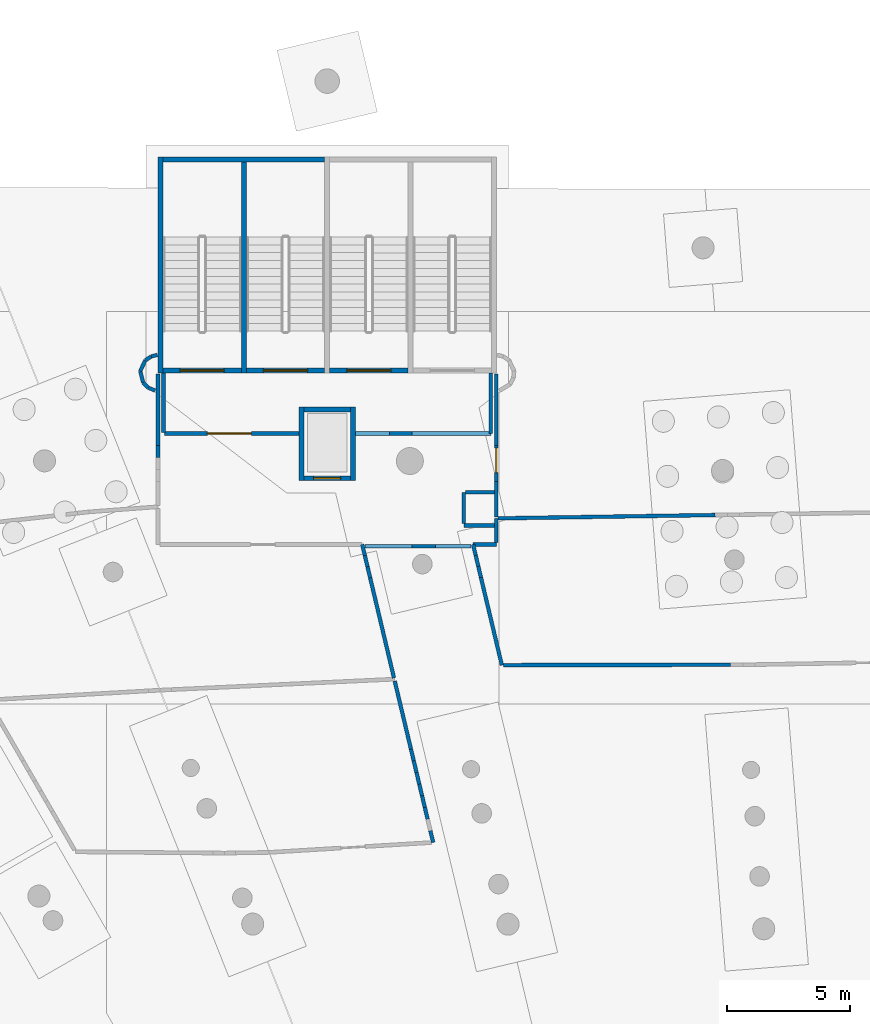
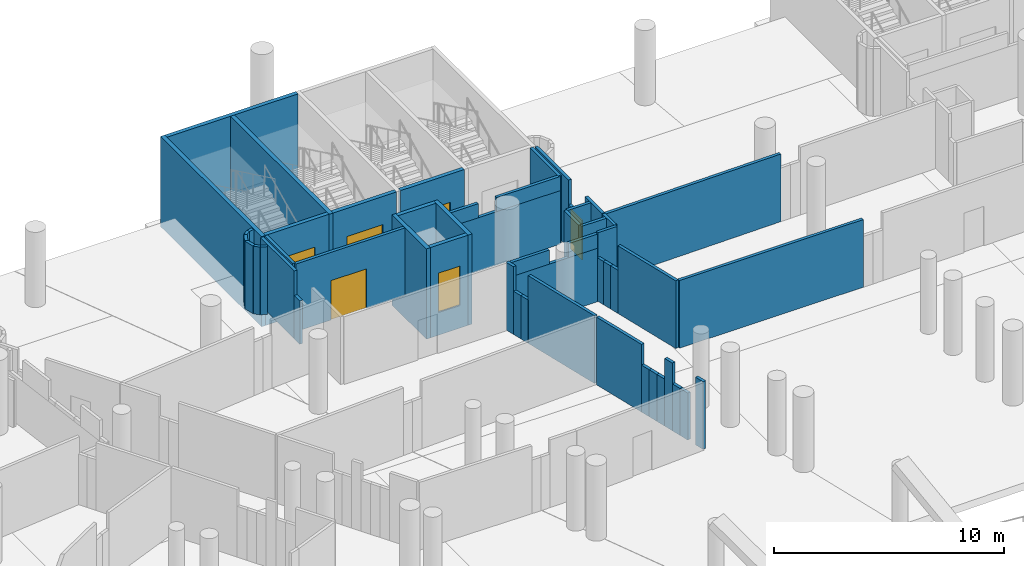
# One storey, part 79 of 142: 53 walls, 6 doors, 6 openings.
"""IFC4 building model written with IfcOpenShell, lengths in metres."""

from ifc_helpers import new_model, si_unit, direction, frame, frame_2d, origin, place, context, subcontext, project, spatial, rectangle, extrude, material, layer, layer_set, type_object, element, fill, save


model = new_model("IFC4")

# Units and contexts
model_context = context("Model", 3, precision=1e-05, world=origin(), true_north=direction((0.0, 1.0)))
body_context = subcontext(model_context, "Body", "Model", "MODEL_VIEW")
ifc_project = project(units=[si_unit("LENGTHUNIT", "METRE"), si_unit("AREAUNIT", "SQUARE_METRE"), si_unit("VOLUMEUNIT", "CUBIC_METRE"), si_unit("PLANEANGLEUNIT", "RADIAN"), si_unit("MASSUNIT", "GRAM", prefix="KILO")], contexts=[model_context])

# Site, building, storey
site_placement = place(None, origin())
site = spatial("IfcSite", under=ifc_project, at=site_placement, CompositionType="ELEMENT")
building_placement = place(site_placement, origin())
building = spatial("IfcBuilding", under=site, at=building_placement, Name="Meseta Stadium", CompositionType="ELEMENT")
storey_placement = place(building_placement, frame((0.0, 0.0, -4.0)))
storey = spatial("IfcBuildingStorey", under=building, at=storey_placement, Name="B1", CompositionType="ELEMENT", Elevation=-4.0)

# Walls
ifc_material_1 = material(Name="Concrete C40/50", Category="concrete")
ifc_layer_1 = layer(ifc_material_1, 0.199951171875)
ifc_layer_set_1 = layer_set([ifc_layer_1], Name="Core divider wall 200")
wall_type_1 = type_object("IfcWallType", Name="Core divider wall 200", PredefinedType="SHEAR", material=ifc_layer_set_1)
wall_1_placement = place(storey_placement, frame((-26.39990234375, 102.300048828125, -1.199951171875), z_axis=(0.0, 0.0, 1.0), x_axis=(0.0, -1.0, 0.0)))
element("IfcWall", 1, at=wall_1_placement, inside=storey, type_object=wall_type_1, Name="Core 11 B1 stair B divider wall", PredefinedType="SHEAR", context=body_context, shape_type="SweptSolid", body=[
    extrude(rectangle(XDim=8.800048828125, YDim=0.199951171875, at=frame_2d((4.39990234375, 0.0))), origin(), (0.0, 0.0, 1.0), 4.800048828125),
])
ifc_material_2 = material(Name="Concrete C40/50", Category="concrete")
ifc_layer_2 = layer(ifc_material_2, 0.199951171875)
ifc_layer_set_2 = layer_set([ifc_layer_2], Name="Core shaft wall 200")
wall_type_2 = type_object("IfcWallType", Name="Core shaft wall 200", PredefinedType="SHEAR", material=ifc_layer_set_2)
wall_2_placement = place(storey_placement, frame((-29.800048828125, 102.300048828125, -1.199951171875), z_axis=(0.0, 0.0, 1.0), x_axis=(0.0, -1.0, 0.0)))
element("IfcWall", 2, at=wall_2_placement, inside=storey, type_object=wall_type_2, Name="Core 11 B1 stair wall B-side", PredefinedType="SHEAR", context=body_context, shape_type="SweptSolid", body=[
    extrude(rectangle(XDim=8.800048828125, YDim=0.199951171875, at=frame_2d((4.39990234375, 0.0))), origin(), (0.0, 0.0, 1.0), 4.800048828125),
])
wall_3_placement = place(storey_placement, frame((-23.10009765625, 102.199951171875, -1.199951171875), z_axis=(0.0, 0.0, 1.0), x_axis=(-1.0, 0.0, 0.0)))
element("IfcWall", 3, at=wall_3_placement, inside=storey, type_object=wall_type_2, Name="Core 11 B1 stair B outer end wall", PredefinedType="SHEAR", context=body_context, shape_type="SweptSolid", body=[
    extrude(rectangle(XDim=6.599853515625, YDim=0.199951171875, at=frame_2d((3.2998046875, 0.0))), origin(), (0.0, 0.0, 1.0), 4.800048828125),
])

# Wall, opening, door
wall_4_placement = place(storey_placement, frame((-19.699951171875, 93.60009765625, -1.199951171875), z_axis=(0.0, 0.0, 1.0), x_axis=(-1.0, 0.0, 0.0)))
wall_4 = element("IfcWall", 4, at=wall_4_placement, inside=storey, type_object=wall_type_2, Name="Core 11 B1 stair A2 inner end wall", PredefinedType="SHEAR", context=body_context, shape_type="SweptSolid", body=[
    extrude(rectangle(XDim=3.199951171875, YDim=0.199951171875, at=frame_2d((1.60009765625, 0.0))), origin(), (0.0, 0.0, 1.0), 4.800048828125),
])
opening_1_placement = place(wall_4_placement, frame((0.699951171875, 0.0, 1.199951171875)))
opening_1 = element("IfcOpeningElement", 5, at=opening_1_placement, cuts=wall_4, Name="Opening D152", PredefinedType="OPENING", context=body_context, shape_type="SweptSolid", body=[
    extrude(rectangle(XDim=1.800048828125, YDim=2.10009765625, at=frame_2d((0.89990234375, 1.050048828125))), frame((0.0, 0.10986328125, 0.0), z_axis=(0.0, -1.0, 0.0), x_axis=(1.0, 0.0, 0.0)), (0.0, 0.0, 1.0), 0.219970703125),
])
ifc_material_3 = material(Name="Steel", Category="steel")
door_type_1 = type_object("IfcDoorType", Name="Stair door 1800x2100", OperationType="DOUBLE_DOOR_SINGLE_SWING", PredefinedType="DOOR", material=ifc_material_3)
door_1_placement = place(opening_1_placement, origin())
door_1 = element("IfcDoor", 6, at=door_1_placement, inside=storey, type_object=door_type_1, Name="Stair A2 door 11 B1", OperationType="DOUBLE_DOOR_SINGLE_SWING", OverallHeight=2.10009765625, OverallWidth=1.800048828125, PredefinedType="DOOR", context=body_context, shape_type="SweptSolid", body=[
    extrude(rectangle(XDim=1.800048828125, YDim=2.10009765625, at=frame_2d((0.89990234375, 1.050048828125))), frame((0.0, 0.02490234375, 0.0), z_axis=(0.0, -1.0, 0.0), x_axis=(1.0, 0.0, 0.0)), (0.0, 0.0, 1.0), 0.050048828125),
])
fill(opening_1, door_1)

wall_5_placement = place(storey_placement, frame((-23.10009765625, 93.60009765625, -1.199951171875), z_axis=(0.0, 0.0, 1.0), x_axis=(-1.0, 0.0, 0.0)))
wall_5 = element("IfcWall", 7, at=wall_5_placement, inside=storey, type_object=wall_type_2, Name="Core 11 B1 stair B1 inner end wall", PredefinedType="SHEAR", context=body_context, shape_type="SweptSolid", body=[
    extrude(rectangle(XDim=3.199951171875, YDim=0.199951171875, at=frame_2d((1.60009765625, 0.0))), origin(), (0.0, 0.0, 1.0), 4.800048828125),
])
opening_2_placement = place(wall_5_placement, frame((0.699951171875, 0.0, 1.199951171875)))
opening_2 = element("IfcOpeningElement", 8, at=opening_2_placement, cuts=wall_5, Name="Opening D153", PredefinedType="OPENING", context=body_context, shape_type="SweptSolid", body=[
    extrude(rectangle(XDim=1.800048828125, YDim=2.10009765625, at=frame_2d((0.89990234375, 1.050048828125))), frame((0.0, 0.10986328125, 0.0), z_axis=(0.0, -1.0, 0.0), x_axis=(1.0, 0.0, 0.0)), (0.0, 0.0, 1.0), 0.219970703125),
])
door_2_placement = place(opening_2_placement, origin())
door_2 = element("IfcDoor", 9, at=door_2_placement, inside=storey, type_object=door_type_1, Name="Stair B1 door 11 B1", OperationType="DOUBLE_DOOR_SINGLE_SWING", OverallHeight=2.10009765625, OverallWidth=1.800048828125, PredefinedType="DOOR", context=body_context, shape_type="SweptSolid", body=[
    extrude(rectangle(XDim=1.800048828125, YDim=2.10009765625, at=frame_2d((0.89990234375, 1.050048828125))), frame((0.0, 0.02490234375, 0.0), z_axis=(0.0, -1.0, 0.0), x_axis=(1.0, 0.0, 0.0)), (0.0, 0.0, 1.0), 0.050048828125),
])
fill(opening_2, door_2)

wall_6_placement = place(storey_placement, frame((-26.5, 93.60009765625, -1.199951171875), z_axis=(0.0, 0.0, 1.0), x_axis=(-1.0, 0.0, 0.0)))
wall_6 = element("IfcWall", 10, at=wall_6_placement, inside=storey, type_object=wall_type_2, Name="Core 11 B1 stair B2 inner end wall", PredefinedType="SHEAR", context=body_context, shape_type="SweptSolid", body=[
    extrude(rectangle(XDim=3.199951171875, YDim=0.199951171875, at=frame_2d((1.60009765625, 0.0))), origin(), (0.0, 0.0, 1.0), 4.800048828125),
])
opening_3_placement = place(wall_6_placement, frame((0.699951171875, 0.0, 1.199951171875)))
opening_3 = element("IfcOpeningElement", 11, at=opening_3_placement, cuts=wall_6, Name="Opening D154", PredefinedType="OPENING", context=body_context, shape_type="SweptSolid", body=[
    extrude(rectangle(XDim=1.800048828125, YDim=2.10009765625, at=frame_2d((0.89990234375, 1.050048828125))), frame((0.0, 0.10986328125, 0.0), z_axis=(0.0, -1.0, 0.0), x_axis=(1.0, 0.0, 0.0)), (0.0, 0.0, 1.0), 0.219970703125),
])
door_3_placement = place(opening_3_placement, origin())
door_3 = element("IfcDoor", 12, at=door_3_placement, inside=storey, type_object=door_type_1, Name="Stair B2 door 11 B1", OperationType="DOUBLE_DOOR_SINGLE_SWING", OverallHeight=2.10009765625, OverallWidth=1.800048828125, PredefinedType="DOOR", context=body_context, shape_type="SweptSolid", body=[
    extrude(rectangle(XDim=1.800048828125, YDim=2.10009765625, at=frame_2d((0.89990234375, 1.050048828125))), frame((0.0, 0.02490234375, 0.0), z_axis=(0.0, -1.0, 0.0), x_axis=(1.0, 0.0, 0.0)), (0.0, 0.0, 1.0), 0.050048828125),
])
fill(opening_3, door_3)

# Walls
for number, where, z_axis, x_axis, name in (
    (13, (-21.949951171875, 92.10009765625, -1.199951171875), (0.0, 0.0, 1.0), (0.0, -1.0, 0.0), "Core 11 B1 lift shaft wall left"),
    (14, (-24.050048828125, 92.10009765625, -1.199951171875), (0.0, 0.0, 1.0), (0.0, -1.0, 0.0), "Core 11 B1 lift shaft wall right"),
):
    element("IfcWall", number, at=place(storey_placement, frame(where, z_axis=z_axis, x_axis=x_axis)), inside=storey, type_object=wall_type_2, Name=name, PredefinedType="SHEAR", context=body_context, shape_type="SweptSolid", body=[
        extrude(rectangle(XDim=3.0, YDim=0.199951171875, at=frame_2d((1.5, 0.0))), origin(), (0.0, 0.0, 1.0), 4.800048828125),
    ])
wall_7_placement = place(storey_placement, frame((-22.050048828125, 92.0, -1.199951171875), z_axis=(0.0, 0.0, 1.0), x_axis=(-1.0, 0.0, 0.0)))
element("IfcWall", 15, at=wall_7_placement, inside=storey, type_object=wall_type_2, Name="Core 11 B1 lift shaft back wall", PredefinedType="SHEAR", context=body_context, shape_type="SweptSolid", body=[
    extrude(rectangle(XDim=1.89990234375, YDim=0.199951171875, at=frame_2d((0.949951171875, 0.0))), origin(), (0.0, 0.0, 1.0), 4.800048828125),
])

# Wall, opening, door
wall_8_placement = place(storey_placement, frame((-22.050048828125, 89.199951171875, -1.199951171875), z_axis=(0.0, 0.0, 1.0), x_axis=(-1.0, 0.0, 0.0)))
wall_8 = element("IfcWall", 16, at=wall_8_placement, inside=storey, type_object=wall_type_2, Name="Core 11 B1 lift shaft front wall", PredefinedType="SHEAR", context=body_context, shape_type="SweptSolid", body=[
    extrude(rectangle(XDim=1.89990234375, YDim=0.199951171875, at=frame_2d((0.949951171875, 0.0))), origin(), (0.0, 0.0, 1.0), 4.800048828125),
])
opening_4_placement = place(wall_8_placement, frame((0.39990234375, 0.0, 1.199951171875)))
opening_4 = element("IfcOpeningElement", 17, at=opening_4_placement, cuts=wall_8, Name="Opening LD57", PredefinedType="OPENING", context=body_context, shape_type="SweptSolid", body=[
    extrude(rectangle(XDim=1.10009765625, YDim=2.10009765625, at=frame_2d((0.550048828125, 1.050048828125))), frame((0.0, 0.10986328125, 0.0), z_axis=(0.0, -1.0, 0.0), x_axis=(1.0, 0.0, 0.0)), (0.0, 0.0, 1.0), 0.219970703125),
])
ifc_material_4 = material(Name="Steel", Category="steel")
door_type_2 = type_object("IfcDoorType", Name="Lift landing door 1100x2100", OperationType="SLIDING_TO_LEFT", PredefinedType="DOOR", material=ifc_material_4)
door_4_placement = place(opening_4_placement, origin())
door_4 = element("IfcDoor", 18, at=door_4_placement, inside=storey, type_object=door_type_2, Name="Lift landing door LD57", OperationType="SLIDING_TO_LEFT", OverallHeight=2.10009765625, OverallWidth=1.10009765625, PredefinedType="DOOR", context=body_context, shape_type="SweptSolid", body=[
    extrude(rectangle(XDim=1.10009765625, YDim=2.10009765625, at=frame_2d((0.550048828125, 1.050048828125))), frame((0.0, 0.02490234375, 0.0), z_axis=(0.0, -1.0, 0.0), x_axis=(1.0, 0.0, 0.0)), (0.0, 0.0, 1.0), 0.050048828125),
])
fill(opening_4, door_4)

# Walls
ifc_material_5 = material(Name="Masonry blockwork", Category="masonry")
ifc_layer_3 = layer(ifc_material_5, 0.14990234375)
ifc_layer_set_3 = layer_set([ifc_layer_3], Name="Partition 150")
wall_type_3 = type_object("IfcWallType", Name="Partition 150", PredefinedType="PARTITIONING", material=ifc_layer_set_3)
wall_9_placement = place(storey_placement, frame((-15.876220703125, 81.57861328125, 0.0), z_axis=(0.0, 0.0, 1.0), x_axis=(-0.231653421041, 0.972798382256, 0.0)))
element("IfcWall", 19, at=wall_9_placement, inside=storey, type_object=wall_type_3, Name="Partition B1 B1-cell09-1-0", PredefinedType="PARTITIONING", context=body_context, shape_type="SweptSolid", body=[
    extrude(rectangle(XDim=3.67919921875, YDim=0.14990234375, at=frame_2d((1.839599609375, 0.0))), origin(), (0.0, 0.0, 1.0), 3.60009765625),
])
wall_10_placement = place(storey_placement, frame((-16.728515625, 85.15771484375, 0.0), z_axis=(0.0, 0.0, 1.0), x_axis=(-0.231405261986, 0.972857443167, 0.0)))
element("IfcWall", 20, at=wall_10_placement, inside=storey, type_object=wall_type_3, Name="Partition B1 B1-cell09-1-0", PredefinedType="PARTITIONING", context=body_context, shape_type="SweptSolid", body=[
    extrude(rectangle(XDim=0.4599609375, YDim=0.14990234375, at=frame_2d((0.22998046875, 0.0))), origin(), (0.0, 0.0, 1.0), 2.300048828125),
])
wall_11_placement = place(storey_placement, frame((-16.8349609375, 85.605224609375, 0.0), z_axis=(0.0, 0.0, 1.0), x_axis=(-0.231524805806, 0.972829000542, 0.0)))
element("IfcWall", 21, at=wall_11_placement, inside=storey, type_object=wall_type_3, Name="Partition B1 B1-cell09-1-0", PredefinedType="PARTITIONING", context=body_context, shape_type="SweptSolid", body=[
    extrude(rectangle(XDim=0.459716796875, YDim=0.14990234375, at=frame_2d((0.22998046875, 0.0))), origin(), (0.0, 0.0, 1.0), 2.300048828125),
])
wall_12_placement = place(storey_placement, frame((-16.94140625, 86.052490234375, 0.0), z_axis=(0.0, 0.0, 1.0), x_axis=(-0.231907494809, 0.972737844361, 0.0)))
element("IfcWall", 22, at=wall_12_placement, inside=storey, type_object=wall_type_3, Name="Partition B1 B1-cell09-1-0", PredefinedType="PARTITIONING", context=body_context, shape_type="SweptSolid", body=[
    extrude(rectangle(XDim=0.4599609375, YDim=0.14990234375, at=frame_2d((0.22998046875, 0.0))), origin(), (0.0, 0.0, 1.0), 2.300048828125),
])
wall_13_placement = place(storey_placement, frame((-17.048095703125, 86.5, 0.0), z_axis=(0.0, 0.0, 1.0), x_axis=(1.0, 0.0, 0.0)))
element("IfcWall", 23, at=wall_13_placement, inside=storey, type_object=wall_type_3, Name="Partition B1 B1-cell09-1-0", PredefinedType="PARTITIONING", context=body_context, shape_type="SweptSolid", body=[
    extrude(rectangle(XDim=0.947998046875, YDim=0.14990234375, at=frame_2d((0.47412109375, 0.0))), origin(), (0.0, 0.0, 1.0), 3.60009765625),
])
wall_14_placement = place(storey_placement, frame((-16.10009765625, 86.574951171875, 0.0), z_axis=(0.0, 0.0, 1.0), x_axis=(0.0, 1.0, 0.0)))
element("IfcWall", 24, at=wall_14_placement, inside=storey, type_object=wall_type_3, Name="Partition B1 B1-cell09-1-0", PredefinedType="PARTITIONING", context=body_context, shape_type="SweptSolid", body=[
    extrude(rectangle(XDim=0.9892578125, YDim=0.14990234375, at=frame_2d((0.49462890625, 0.0))), origin(), (0.0, 0.0, 1.0), 3.60009765625),
])
wall_15_placement = place(storey_placement, frame((-16.02490234375, 87.5654296875, 0.0), z_axis=(0.0, 0.0, 1.0), x_axis=(0.999882927084, 0.015301376583, 0.0)))
element("IfcWall", 25, at=wall_15_placement, inside=storey, type_object=wall_type_3, Name="Partition B1 B1-cell09-1-0", PredefinedType="PARTITIONING", context=body_context, shape_type="SweptSolid", body=[
    extrude(rectangle(XDim=8.855224609375, YDim=0.14990234375, at=frame_2d((4.427734375, 0.0))), origin(), (0.0, 0.0, 1.0), 3.60009765625),
])
wall_16_placement = place(storey_placement, frame((-6.538330078125, 81.589599609375, 0.0), z_axis=(0.0, 0.0, 1.0), x_axis=(-0.99999932727, -0.001159939114, 0.0)))
element("IfcWall", 26, at=wall_16_placement, inside=storey, type_object=wall_type_3, Name="Partition B1 B1-cell09-1-0", PredefinedType="PARTITIONING", context=body_context, shape_type="SweptSolid", body=[
    extrude(rectangle(XDim=9.260986328125, YDim=0.14990234375, at=frame_2d((4.63037109375, 0.0))), origin(), (0.0, 0.0, 1.0), 3.60009765625),
])
wall_17_placement = place(storey_placement, frame((-16.10009765625, 87.6142578125, 0.0), z_axis=(0.0, 0.0, 1.0), x_axis=(0.0, 1.0, 0.0)))
element("IfcWall", 27, at=wall_17_placement, inside=storey, type_object=wall_type_3, Name="Partition B1 B1-cell09-2-0", PredefinedType="PARTITIONING", context=body_context, shape_type="SweptSolid", body=[
    extrude(rectangle(XDim=1.46142578125, YDim=0.14990234375, at=frame_2d((0.730712890625, 0.0))), origin(), (0.0, 0.0, 1.0), 3.60009765625),
])

# Wall, opening, door
wall_18_placement = place(storey_placement, frame((-16.10009765625, 89.07568359375, 0.0), z_axis=(0.0, 0.0, 1.0), x_axis=(0.0, 1.0, 0.0)))
wall_18 = element("IfcWall", 28, at=wall_18_placement, inside=storey, type_object=wall_type_3, Name="Partition B1 B1-cell09-2-0", PredefinedType="PARTITIONING", context=body_context, shape_type="SweptSolid", body=[
    extrude(rectangle(XDim=1.46142578125, YDim=0.14990234375, at=frame_2d((0.730712890625, 0.0))), origin(), (0.0, 0.0, 1.0), 2.300048828125),
])
opening_5_placement = place(wall_18_placement, frame((0.35009765625, 0.0, 0.0)))
opening_5 = element("IfcOpeningElement", 29, at=opening_5_placement, cuts=wall_18, Name="Opening D460", PredefinedType="OPENING", context=body_context, shape_type="SweptSolid", body=[
    extrude(rectangle(XDim=1.0, YDim=2.10009765625, at=frame_2d((0.5, 1.050048828125))), frame((0.0, 0.0849609375, 0.0), z_axis=(0.0, -1.0, 0.0), x_axis=(1.0, 0.0, 0.0)), (0.0, 0.0, 1.0), 0.169921875),
])
ifc_material_6 = material(Name="Steel", Category="steel")
door_type_3 = type_object("IfcDoorType", Name="Fire door 1000x2100 EI2 60", OperationType="NOTDEFINED", PredefinedType="DOOR", material=ifc_material_6)
door_5_placement = place(opening_5_placement, origin())
door_5 = element("IfcDoor", 30, at=door_5_placement, inside=storey, type_object=door_type_3, Name="Door D460", OperationType="SINGLE_SWING_RIGHT", OverallHeight=2.10009765625, OverallWidth=1.0, PredefinedType="DOOR", context=body_context, shape_type="SweptSolid", body=[
    extrude(rectangle(XDim=1.0, YDim=2.10009765625, at=frame_2d((0.5, 1.050048828125))), frame((0.0, 0.02490234375, 0.0), z_axis=(0.0, -1.0, 0.0), x_axis=(1.0, 0.0, 0.0)), (0.0, 0.0, 1.0), 0.050048828125),
])
fill(opening_5, door_5)

# Walls
wall_19_placement = place(storey_placement, frame((-16.10009765625, 90.537109375, 0.0), z_axis=(0.0, 0.0, 1.0), x_axis=(0.0, 1.0, 0.0)))
element("IfcWall", 31, at=wall_19_placement, inside=storey, type_object=wall_type_3, Name="Partition B1 B1-cell09-2-0", PredefinedType="PARTITIONING", context=body_context, shape_type="SweptSolid", body=[
    extrude(rectangle(XDim=2.9228515625, YDim=0.14990234375, at=frame_2d((1.46142578125, 0.0))), origin(), (0.0, 0.0, 1.0), 3.60009765625),
])
wall_20_placement = place(storey_placement, frame((-20.244873046875, 80.930419921875, 0.0), z_axis=(0.0, 0.0, 1.0), x_axis=(0.231605127585, -0.972809881157, 0.0)))
element("IfcWall", 32, at=wall_20_placement, inside=storey, type_object=wall_type_3, Name="Partition B1 B1-cell10-1-0", PredefinedType="PARTITIONING", context=body_context, shape_type="SweptSolid", body=[
    extrude(rectangle(XDim=2.857666015625, YDim=0.14990234375, at=frame_2d((1.4287109375, 0.0))), origin(), (0.0, 0.0, 1.0), 3.60009765625),
])
for number, where, z_axis, x_axis, name in (
    (33, (-19.5830078125, 78.150390625, 0.0), (0.0, 0.0, 1.0), (0.23171054262, -0.972784778067, 0.0), "Partition B1 B1-cell10-1-0"),
    (34, (-19.4697265625, 77.6748046875, 0.0), (0.0, 0.0, 1.0), (0.23171054262, -0.972784778067, 0.0), "Partition B1 B1-cell10-1-0"),
):
    element("IfcWall", number, at=place(storey_placement, frame(where, z_axis=z_axis, x_axis=x_axis)), inside=storey, type_object=wall_type_3, Name=name, PredefinedType="PARTITIONING", context=body_context, shape_type="SweptSolid", body=[
        extrude(rectangle(XDim=0.48876953125, YDim=0.14990234375, at=frame_2d((0.244384765625, 0.0))), origin(), (0.0, 0.0, 1.0), 2.5),
    ])
wall_21_placement = place(storey_placement, frame((-19.3564453125, 77.19921875, 0.0), z_axis=(0.0, 0.0, 1.0), x_axis=(0.231125590896, -0.972923923662, 0.0)))
element("IfcWall", 35, at=wall_21_placement, inside=storey, type_object=wall_type_3, Name="Partition B1 B1-cell10-1-0", PredefinedType="PARTITIONING", context=body_context, shape_type="SweptSolid", body=[
    extrude(rectangle(XDim=0.489013671875, YDim=0.14990234375, at=frame_2d((0.24462890625, 0.0))), origin(), (0.0, 0.0, 1.0), 2.5),
])
wall_22_placement = place(storey_placement, frame((-19.243408203125, 76.723388671875, 0.0), z_axis=(0.0, 0.0, 1.0), x_axis=(0.23218302533, -0.972672114717, 0.0)))
element("IfcWall", 36, at=wall_22_placement, inside=storey, type_object=wall_type_3, Name="Partition B1 B1-cell10-1-0", PredefinedType="PARTITIONING", context=body_context, shape_type="SweptSolid", body=[
    extrude(rectangle(XDim=0.489013671875, YDim=0.14990234375, at=frame_2d((0.24462890625, 0.0))), origin(), (0.0, 0.0, 1.0), 3.60009765625),
])
wall_23_placement = place(storey_placement, frame((-19.1298828125, 76.247802734375, 0.0), z_axis=(0.0, 0.0, 1.0), x_axis=(0.231237895867, -0.972897237901, 0.0)))
element("IfcWall", 37, at=wall_23_placement, inside=storey, type_object=wall_type_3, Name="Partition B1 B1-cell10-1-0", PredefinedType="PARTITIONING", context=body_context, shape_type="SweptSolid", body=[
    extrude(rectangle(XDim=0.48876953125, YDim=0.14990234375, at=frame_2d((0.244384765625, 0.0))), origin(), (0.0, 0.0, 1.0), 2.5),
])
wall_24_placement = place(storey_placement, frame((-19.016845703125, 75.772216796875, 0.0), z_axis=(0.0, 0.0, 1.0), x_axis=(0.231598034095, -0.972811569937, 0.0)))
element("IfcWall", 38, at=wall_24_placement, inside=storey, type_object=wall_type_3, Name="Partition B1 B1-cell10-1-0", PredefinedType="PARTITIONING", context=body_context, shape_type="SweptSolid", body=[
    extrude(rectangle(XDim=0.489013671875, YDim=0.14990234375, at=frame_2d((0.24462890625, 0.0))), origin(), (0.0, 0.0, 1.0), 2.5),
])
wall_25_placement = place(storey_placement, frame((-18.790283203125, 74.82080078125, 0.0), z_axis=(0.0, 0.0, 1.0), x_axis=(0.23171054262, -0.972784778067, 0.0)))
element("IfcWall", 39, at=wall_25_placement, inside=storey, type_object=wall_type_3, Name="Partition B1 B1-cell10-1-0", PredefinedType="PARTITIONING", context=body_context, shape_type="SweptSolid", body=[
    extrude(rectangle(XDim=0.48876953125, YDim=0.14990234375, at=frame_2d((0.244384765625, 0.0))), origin(), (0.0, 0.0, 1.0), 3.60009765625),
])
wall_26_placement = place(storey_placement, frame((-21.571044921875, 86.5, 0.0), z_axis=(0.0, 0.0, 1.0), x_axis=(0.231809170102, -0.972761280406, 0.0)))
element("IfcWall", 40, at=wall_26_placement, inside=storey, type_object=wall_type_3, Name="Partition B1 B1-cell10-2-0", PredefinedType="PARTITIONING", context=body_context, shape_type="SweptSolid", body=[
    extrude(rectangle(XDim=0.466552734375, YDim=0.14990234375, at=frame_2d((0.2333984375, 0.0))), origin(), (0.0, 0.0, 1.0), 3.60009765625),
])
for number, where, z_axis, x_axis, name in (
    (41, (-21.462890625, 86.046142578125, 0.0), (0.0, 0.0, 1.0), (0.231313927033, -0.972879163699, 0.0), "Partition B1 B1-cell10-2-0"),
    (42, (-21.35498046875, 85.59228515625, 0.0), (0.0, 0.0, 1.0), (0.231809170102, -0.972761280406, 0.0), "Partition B1 B1-cell10-2-0"),
):
    element("IfcWall", number, at=place(storey_placement, frame(where, z_axis=z_axis, x_axis=x_axis)), inside=storey, type_object=wall_type_3, Name=name, PredefinedType="PARTITIONING", context=body_context, shape_type="SweptSolid", body=[
        extrude(rectangle(XDim=0.466552734375, YDim=0.14990234375, at=frame_2d((0.2333984375, 0.0))), origin(), (0.0, 0.0, 1.0), 2.300048828125),
    ])
wall_27_placement = place(storey_placement, frame((-21.246826171875, 85.138427734375, 0.0), z_axis=(0.0, 0.0, 1.0), x_axis=(0.231615286229, -0.972807462546, 0.0)))
element("IfcWall", 43, at=wall_27_placement, inside=storey, type_object=wall_type_3, Name="Partition B1 B1-cell10-2-0", PredefinedType="PARTITIONING", context=body_context, shape_type="SweptSolid", body=[
    extrude(rectangle(XDim=4.198486328125, YDim=0.14990234375, at=frame_2d((2.09912109375, 0.0))), origin(), (0.0, 0.0, 1.0), 3.60009765625),
])
wall_28_placement = place(storey_placement, frame((-29.89990234375, 93.4599609375, 0.0), z_axis=(0.0, 0.0, 1.0), x_axis=(0.0, -1.0, 0.0)))
element("IfcWall", 44, at=wall_28_placement, inside=storey, type_object=wall_type_3, Name="Partition B1 B1-cell10-3-0", PredefinedType="PARTITIONING", context=body_context, shape_type="SweptSolid", body=[
    extrude(rectangle(XDim=2.93017578125, YDim=0.14990234375, at=frame_2d((1.465087890625, 0.0))), origin(), (0.0, 0.0, 1.0), 3.60009765625),
])
wall_29_placement = place(storey_placement, frame((-29.89990234375, 90.52978515625, 0.0), z_axis=(0.0, 0.0, 1.0), x_axis=(0.0, -1.0, 0.0)))
element("IfcWall", 45, at=wall_29_placement, inside=storey, type_object=wall_type_3, Name="Partition B1 B1-cell10-3-0", PredefinedType="PARTITIONING", context=body_context, shape_type="SweptSolid", body=[
    extrude(rectangle(XDim=0.488525390625, YDim=0.14990234375, at=frame_2d((0.244140625, 0.0))), origin(), (0.0, 0.0, 1.0), 2.300048828125),
])
wall_30_placement = place(storey_placement, frame((-16.176025390625, 88.625, 0.0), z_axis=(0.0, 0.0, 1.0), x_axis=(-1.0, 0.0, 0.0)))
element("IfcWall", 46, at=wall_30_placement, inside=storey, type_object=wall_type_3, Name="Pressurisation shaft wall B1 core 11", PredefinedType="PARTITIONING", context=body_context, shape_type="SweptSolid", body=[
    extrude(rectangle(XDim=1.174072265625, YDim=0.14990234375, at=frame_2d((0.5869140625, 0.0))), origin(), (0.0, 0.0, 1.0), 3.60009765625),
])
wall_31_placement = place(storey_placement, frame((-17.425048828125, 88.625, 0.0), z_axis=(0.0, 0.0, 1.0), x_axis=(0.0, -1.0, 0.0)))
element("IfcWall", 47, at=wall_31_placement, inside=storey, type_object=wall_type_3, Name="Pressurisation shaft wall B1 core 11", PredefinedType="PARTITIONING", context=body_context, shape_type="SweptSolid", body=[
    extrude(rectangle(XDim=1.27490234375, YDim=0.14990234375, at=frame_2d((0.637451171875, 0.0))), origin(), (0.0, 0.0, 1.0), 3.60009765625),
])
wall_32_placement = place(storey_placement, frame((-17.425048828125, 87.27490234375, 0.0), z_axis=(0.0, 0.0, 1.0), x_axis=(1.0, 0.0, 0.0)))
element("IfcWall", 48, at=wall_32_placement, inside=storey, type_object=wall_type_3, Name="Pressurisation shaft wall B1 core 11", PredefinedType="PARTITIONING", context=body_context, shape_type="SweptSolid", body=[
    extrude(rectangle(XDim=1.2490234375, YDim=0.14990234375, at=frame_2d((0.62451171875, 0.0))), origin(), (0.0, 0.0, 1.0), 3.60009765625),
])

# Wall, opening, door
wall_33_placement = place(storey_placement, frame((-29.639892578125, 91.02490234375, 0.0), z_axis=(0.0, 0.0, 1.0), x_axis=(1.0, 0.0, 0.0)))
wall_33 = element("IfcWall", 49, at=wall_33_placement, inside=storey, type_object=wall_type_3, Name="Stair vestibule wall B1 core 11", PredefinedType="PARTITIONING", context=body_context, shape_type="SweptSolid", body=[
    extrude(rectangle(XDim=5.47998046875, YDim=0.14990234375, at=frame_2d((2.739990234375, 0.0))), origin(), (0.0, 0.0, 1.0), 3.60009765625),
])
opening_6_placement = place(wall_33_placement, frame((1.75, 0.0, 0.0)))
opening_6 = element("IfcOpeningElement", 50, at=opening_6_placement, cuts=wall_33, Name="Opening D724", PredefinedType="OPENING", context=body_context, shape_type="SweptSolid", body=[
    extrude(rectangle(XDim=1.800048828125, YDim=2.10009765625, at=frame_2d((0.89990234375, 1.050048828125))), frame((0.0, 0.0849609375, 0.0), z_axis=(0.0, -1.0, 0.0), x_axis=(1.0, 0.0, 0.0)), (0.0, 0.0, 1.0), 0.169921875),
])
ifc_material_7 = material(Name="Steel", Category="steel")
door_type_4 = type_object("IfcDoorType", Name="Fire double door 1800x2100 EI2 60", OperationType="DOUBLE_DOOR_SINGLE_SWING", PredefinedType="DOOR", material=ifc_material_7)
door_6_placement = place(opening_6_placement, origin())
door_6 = element("IfcDoor", 51, at=door_6_placement, inside=storey, type_object=door_type_4, Name="Stair vestibule door B1 core 11", OperationType="DOUBLE_DOOR_SINGLE_SWING", OverallHeight=2.10009765625, OverallWidth=1.800048828125, PredefinedType="DOOR", context=body_context, shape_type="SweptSolid", body=[
    extrude(rectangle(XDim=1.800048828125, YDim=2.10009765625, at=frame_2d((0.89990234375, 1.050048828125))), frame((0.0, 0.02490234375, 0.0), z_axis=(0.0, -1.0, 0.0), x_axis=(1.0, 0.0, 0.0)), (0.0, 0.0, 1.0), 0.050048828125),
])
fill(opening_6, door_6)

# Walls
wall_34_placement = place(storey_placement, frame((-21.840087890625, 91.02490234375, 0.0), z_axis=(0.0, 0.0, 1.0), x_axis=(1.0, 0.0, 0.0)))
element("IfcWall", 52, at=wall_34_placement, inside=storey, type_object=wall_type_3, Name="Stair vestibule wall B1 core 11", PredefinedType="PARTITIONING", context=body_context, shape_type="SweptSolid", body=[
    extrude(rectangle(XDim=5.51513671875, YDim=0.14990234375, at=frame_2d((2.757568359375, 0.0))), origin(), (0.0, 0.0, 1.0), 2.85009765625),
])
wall_35_placement = place(storey_placement, frame((-21.840087890625, 91.02490234375, 2.85009765625), z_axis=(0.0, 0.0, 1.0), x_axis=(1.0, 0.0, 0.0)))
element("IfcWall", 53, at=wall_35_placement, inside=storey, type_object=wall_type_3, Name="Stair vestibule wall B1 core 11", PredefinedType="PARTITIONING", context=body_context, shape_type="SweptSolid", body=[
    extrude(rectangle(XDim=1.37890625, YDim=0.14990234375, at=frame_2d((0.689453125, 0.0))), origin(), (0.0, 0.0, 1.0), 0.75),
])
wall_36_placement = place(storey_placement, frame((-19.5419921875, 91.02490234375, 2.85009765625), z_axis=(0.0, 0.0, 1.0), x_axis=(1.0, 0.0, 0.0)))
element("IfcWall", 54, at=wall_36_placement, inside=storey, type_object=wall_type_3, Name="Stair vestibule wall B1 core 11", PredefinedType="PARTITIONING", context=body_context, shape_type="SweptSolid", body=[
    extrude(rectangle(XDim=3.217041015625, YDim=0.14990234375, at=frame_2d((1.6083984375, 0.0))), origin(), (0.0, 0.0, 1.0), 0.75),
])
wall_37_placement = place(storey_placement, frame((-16.324951171875, 91.02490234375, 0.0), z_axis=(0.0, 0.0, 1.0), x_axis=(0.0, 1.0, 0.0)))
element("IfcWall", 55, at=wall_37_placement, inside=storey, type_object=wall_type_3, Name="Stair vestibule wall B1 core 11", PredefinedType="PARTITIONING", context=body_context, shape_type="SweptSolid", body=[
    extrude(rectangle(XDim=2.465087890625, YDim=0.14990234375, at=frame_2d((1.232421875, 0.0))), origin(), (0.0, 0.0, 1.0), 3.60009765625),
])
wall_38_placement = place(storey_placement, frame((-29.675048828125, 93.489990234375, 0.0), z_axis=(0.0, 0.0, 1.0), x_axis=(0.0, -1.0, 0.0)))
element("IfcWall", 56, at=wall_38_placement, inside=storey, type_object=wall_type_3, Name="Stair vestibule wall B1 core 11", PredefinedType="PARTITIONING", context=body_context, shape_type="SweptSolid", body=[
    extrude(rectangle(XDim=2.429931640625, YDim=0.14990234375, at=frame_2d((1.21484375, 0.0))), origin(), (0.0, 0.0, 1.0), 3.60009765625),
])
wall_39_placement = place(storey_placement, frame((-21.457275390625, 86.425048828125, 0.0), z_axis=(0.0, 0.0, 1.0), x_axis=(1.0, 0.0, 0.0)))
element("IfcWall", 57, at=wall_39_placement, inside=storey, type_object=wall_type_3, Name="Stair vestibule wall B1 core 11", PredefinedType="PARTITIONING", context=body_context, shape_type="SweptSolid", body=[
    extrude(rectangle(XDim=4.32958984375, YDim=0.14990234375, at=frame_2d((2.164794921875, 0.0))), origin(), (0.0, 0.0, 1.0), 2.85009765625),
])
wall_40_placement = place(storey_placement, frame((-21.457275390625, 86.425048828125, 2.85009765625), z_axis=(0.0, 0.0, 1.0), x_axis=(1.0, 0.0, 0.0)))
element("IfcWall", 58, at=wall_40_placement, inside=storey, type_object=wall_type_3, Name="Stair vestibule wall B1 core 11", PredefinedType="PARTITIONING", context=body_context, shape_type="SweptSolid", body=[
    extrude(rectangle(XDim=1.91015625, YDim=0.14990234375, at=frame_2d((0.955078125, 0.0))), origin(), (0.0, 0.0, 1.0), 0.75),
])
wall_41_placement = place(storey_placement, frame((-18.579345703125, 86.425048828125, 2.85009765625), z_axis=(0.0, 0.0, 1.0), x_axis=(1.0, 0.0, 0.0)))
element("IfcWall", 59, at=wall_41_placement, inside=storey, type_object=wall_type_3, Name="Stair vestibule wall B1 core 11", PredefinedType="PARTITIONING", context=body_context, shape_type="SweptSolid", body=[
    extrude(rectangle(XDim=1.45166015625, YDim=0.14990234375, at=frame_2d((0.725830078125, 0.0))), origin(), (0.0, 0.0, 1.0), 0.75),
])
wall_42_placement = place(storey_placement, frame((-29.928466796875, 94.229736328125, 0.0), z_axis=(0.0, 0.0, 1.0), x_axis=(-0.973130593004, -0.230253879357, 0.0)))
element("IfcWall", 60, at=wall_42_placement, inside=storey, type_object=wall_type_3, Name="Stair vestibule wall B1 core 11", PredefinedType="PARTITIONING", context=body_context, shape_type="SweptSolid", body=[
    extrude(rectangle(XDim=0.257568359375, YDim=0.14990234375, at=frame_2d((0.12890625, 0.0))), origin(), (0.0, 0.0, 1.0), 3.60009765625),
])
wall_43_placement = place(storey_placement, frame((-30.17919921875, 94.17041015625, 0.0), z_axis=(0.0, 0.0, 1.0), x_axis=(-0.831397130511, -0.555678694372, 0.0)))
element("IfcWall", 61, at=wall_43_placement, inside=storey, type_object=wall_type_3, Name="Stair vestibule wall B1 core 11", PredefinedType="PARTITIONING", context=body_context, shape_type="SweptSolid", body=[
    extrude(rectangle(XDim=0.287841796875, YDim=0.14990234375, at=frame_2d((0.14404296875, 0.0))), origin(), (0.0, 0.0, 1.0), 3.60009765625),
])
for number, where, z_axis, x_axis, name in (
    (62, (-30.41845703125, 94.010498046875, 0.0), (0.0, 0.0, 1.0), (-0.427805398413, -0.903870865273, 0.0), "Stair vestibule wall B1 core 11"),
    (63, (-30.626220703125, 93.571533203125, 0.0), (0.0, 0.0, 1.0), (0.242890582249, -0.970053691841, 0.0), "Stair vestibule wall B1 core 11"),
):
    element("IfcWall", number, at=place(storey_placement, frame(where, z_axis=z_axis, x_axis=x_axis)), inside=storey, type_object=wall_type_3, Name=name, PredefinedType="PARTITIONING", context=body_context, shape_type="SweptSolid", body=[
        extrude(rectangle(XDim=0.485595703125, YDim=0.14990234375, at=frame_2d((0.24267578125, 0.0))), origin(), (0.0, 0.0, 1.0), 3.60009765625),
    ])
wall_44_placement = place(storey_placement, frame((-30.50830078125, 93.1005859375, 0.0), z_axis=(0.0, 0.0, 1.0), x_axis=(0.707106781187, -0.707106781187, 0.0)))
element("IfcWall", 64, at=wall_44_placement, inside=storey, type_object=wall_type_3, Name="Stair vestibule wall B1 core 11", PredefinedType="PARTITIONING", context=body_context, shape_type="SweptSolid", body=[
    extrude(rectangle(XDim=0.289306640625, YDim=0.14990234375, at=frame_2d((0.14453125, 0.0))), origin(), (0.0, 0.0, 1.0), 3.60009765625),
])
wall_45_placement = place(storey_placement, frame((-30.3037109375, 92.89599609375, 0.0), z_axis=(0.0, 0.0, 1.0), x_axis=(0.923823997436, -0.38281747839, 0.0)))
element("IfcWall", 65, at=wall_45_placement, inside=storey, type_object=wall_type_3, Name="Stair vestibule wall B1 core 11", PredefinedType="PARTITIONING", context=body_context, shape_type="SweptSolid", body=[
    extrude(rectangle(XDim=0.30859375, YDim=0.14990234375, at=frame_2d((0.154296875, 0.0))), origin(), (0.0, 0.0, 1.0), 3.60009765625),
])

save(model, "model.ifc")
